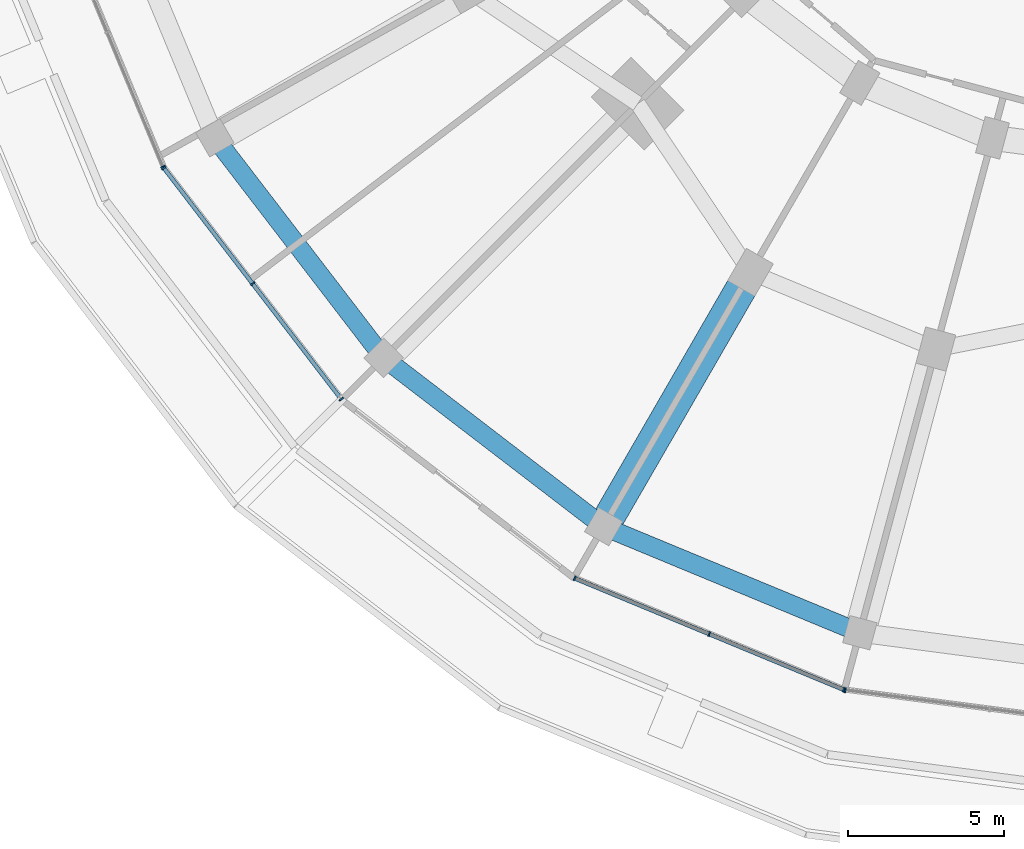
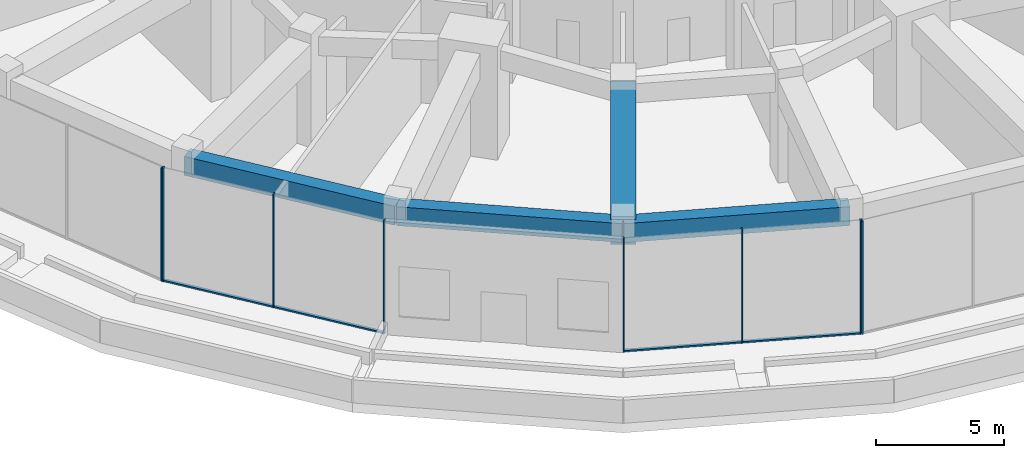
# One storey, part 2 of 26: 12 members, 4 beams, 4 elements without a shape of their own.
"""IFC4 building model written with IfcOpenShell, lengths in metres."""

from ifc_helpers import new_model, si_unit, direction, frame, origin, origin_2d, place, context, subcontext, project, spatial, rectangle, extrude, material, layer, layer_set, material_profile, profile_set, type_object, element, aggregate, save


model = new_model("IFC4")

# Units and contexts
model_context = context("Model", 3, precision=1e-05, world=origin(), true_north=direction((0.0, 1.0)))
body_context = subcontext(model_context, "Body", "Model", "MODEL_VIEW")
ifc_project = project(units=[si_unit("LENGTHUNIT", "METRE"), si_unit("AREAUNIT", "SQUARE_METRE"), si_unit("VOLUMEUNIT", "CUBIC_METRE"), si_unit("PLANEANGLEUNIT", "RADIAN"), si_unit("MASSUNIT", "GRAM", prefix="KILO")], contexts=[model_context])

# Site, building, storey
site_placement = place(None, origin())
site = spatial("IfcSite", under=ifc_project, at=site_placement, CompositionType="ELEMENT")
building_placement = place(site_placement, origin())
building = spatial("IfcBuilding", under=site, at=building_placement, Name="Torre Brocal", CompositionType="ELEMENT")
storey_placement = place(building_placement, frame((0.0, 0.0, 12.39990234375)))
storey = spatial("IfcBuildingStorey", under=building, at=storey_placement, Name="L02", CompositionType="ELEMENT", Elevation=12.39990234375)

# Curtain wall, member
ifc_material_1 = material(Name="Aluminium and glass", Category="aluminium")
ifc_layer = layer(ifc_material_1, 0.199951171875)
ifc_layer_set = layer_set([ifc_layer], Name="Aluminium and glass")
curtain_wall_type = type_object("IfcCurtainWallType", Name="CW-6 CURTAIN WALL 5400 HIGH", PredefinedType="NOTDEFINED", material=ifc_layer_set)
curtain_wall_1_placement = place(storey_placement, origin())
curtain_wall_1 = element("IfcCurtainWall", 1, at=curtain_wall_1_placement, inside=storey, type_object=curtain_wall_type, Name="CW-6 RUN 14", PredefinedType="NOTDEFINED")
ifc_material_2 = material(Name="Aluminium, dark anodised", Category="aluminium")
ifc_material_profile_1 = material_profile(ifc_material_2, rectangle(XDim=0.159912109375, YDim=0.050048828125, at=origin_2d()), Name="CW-6 MULLION 50X160")
ifc_profile_set_1 = profile_set([ifc_material_profile_1], Name="Aluminium, dark anodised")
member_type_1 = type_object("IfcMemberType", Name="CW-6 MULLION 50X160", PredefinedType="MULLION", material=ifc_profile_set_1)
member_1_placement = place(storey_placement, frame((48.90087890625, 57.073486328125, 0.0), z_axis=(0.0, 0.0, 1.0), x_axis=(0.923879532525, 0.382683432333, 0.0)))
member_1 = element("IfcMember", 2, at=member_1_placement, type_object=member_type_1, Name="CW6-1 mullion 3", PredefinedType="MULLION", context=body_context, shape_type="SweptSolid", body=[
    extrude(rectangle(XDim=0.159912109375, YDim=0.050048828125, at=origin_2d()), origin(), (0.0, 0.0, 1.0), 5.400146484375),
])
aggregate(curtain_wall_1, [member_1])

# Curtain wall, members
curtain_wall_2_placement = place(storey_placement, origin())
curtain_wall_2 = element("IfcCurtainWall", 3, at=curtain_wall_2_placement, inside=storey, type_object=curtain_wall_type, Name="CW-6 RUN 15", PredefinedType="NOTDEFINED")
member_2_placement = place(storey_placement, frame((48.925537109375, 57.030517578125, 0.0), z_axis=(0.0, 0.0, 1.0), x_axis=(0.793353340291, 0.608761429009, 0.0)))
member_2 = element("IfcMember", 4, at=member_2_placement, type_object=member_type_1, Name="CW6-1 mullion 1", PredefinedType="MULLION", context=body_context, shape_type="SweptSolid", body=[
    extrude(rectangle(XDim=0.159912109375, YDim=0.050048828125, at=origin_2d()), origin(), (0.0, 0.0, 1.0), 5.400146484375),
])
member_3_placement = place(storey_placement, frame((51.762939453125, 53.3330078125, 0.0), z_axis=(0.0, 0.0, 1.0), x_axis=(0.793353340291, 0.608761429009, 0.0)))
member_3 = element("IfcMember", 5, at=member_3_placement, type_object=member_type_1, Name="CW6-1 mullion 2", PredefinedType="MULLION", context=body_context, shape_type="SweptSolid", body=[
    extrude(rectangle(XDim=0.159912109375, YDim=0.050048828125, at=origin_2d()), origin(), (0.0, 0.0, 1.0), 5.400146484375),
])
member_4_placement = place(storey_placement, frame((54.600341796875, 49.63525390625, 0.0), z_axis=(0.0, 0.0, 1.0), x_axis=(0.793353340291, 0.608761429009, 0.0)))
member_4 = element("IfcMember", 6, at=member_4_placement, type_object=member_type_1, Name="CW6-1 mullion 3", PredefinedType="MULLION", context=body_context, shape_type="SweptSolid", body=[
    extrude(rectangle(XDim=0.159912109375, YDim=0.050048828125, at=origin_2d()), origin(), (0.0, 0.0, 1.0), 5.400146484375),
])

curtain_wall_3_placement = place(storey_placement, origin())
curtain_wall_3 = element("IfcCurtainWall", 7, at=curtain_wall_3_placement, inside=storey, type_object=curtain_wall_type, Name="CW-6 RUN 17", PredefinedType="NOTDEFINED")
member_5_placement = place(storey_placement, frame((62.073486328125, 43.90087890625, 0.0), z_axis=(0.0, 0.0, 1.0), x_axis=(0.382683432333, 0.923879532525, 0.0)))
member_5 = element("IfcMember", 8, at=member_5_placement, type_object=member_type_1, Name="CW6-1 mullion 1", PredefinedType="MULLION", context=body_context, shape_type="SweptSolid", body=[
    extrude(rectangle(XDim=0.159912109375, YDim=0.050048828125, at=origin_2d()), origin(), (0.0, 0.0, 1.0), 5.400146484375),
])
member_6_placement = place(storey_placement, frame((66.379638671875, 42.1171875, 0.0), z_axis=(0.0, 0.0, 1.0), x_axis=(0.382683432333, 0.923879532525, 0.0)))
member_6 = element("IfcMember", 9, at=member_6_placement, type_object=member_type_1, Name="CW6-1 mullion 2", PredefinedType="MULLION", context=body_context, shape_type="SweptSolid", body=[
    extrude(rectangle(XDim=0.159912109375, YDim=0.050048828125, at=origin_2d()), origin(), (0.0, 0.0, 1.0), 5.400146484375),
])
member_7_placement = place(storey_placement, frame((70.685546875, 40.333740234375, 0.0), z_axis=(0.0, 0.0, 1.0), x_axis=(0.382683432333, 0.923879532525, 0.0)))
member_7 = element("IfcMember", 10, at=member_7_placement, type_object=member_type_1, Name="CW6-1 mullion 3", PredefinedType="MULLION", context=body_context, shape_type="SweptSolid", body=[
    extrude(rectangle(XDim=0.159912109375, YDim=0.050048828125, at=origin_2d()), origin(), (0.0, 0.0, 1.0), 5.400146484375),
])

# Curtain wall, member
curtain_wall_4_placement = place(storey_placement, origin())
curtain_wall_4 = element("IfcCurtainWall", 11, at=curtain_wall_4_placement, inside=storey, type_object=curtain_wall_type, Name="CW-6 RUN 18", PredefinedType="NOTDEFINED")
member_8_placement = place(storey_placement, frame((70.7333984375, 40.32080078125, 0.0), z_axis=(0.0, 0.0, 1.0), x_axis=(0.130526192255, 0.991444861369, 0.0)))
member_8 = element("IfcMember", 12, at=member_8_placement, type_object=member_type_1, Name="CW6-1 mullion 1", PredefinedType="MULLION", context=body_context, shape_type="SweptSolid", body=[
    extrude(rectangle(XDim=0.159912109375, YDim=0.050048828125, at=origin_2d()), origin(), (0.0, 0.0, 1.0), 5.400146484375),
])
aggregate(curtain_wall_4, [member_8])

# Member
ifc_material_3 = material(Name="Aluminium, dark anodised", Category="aluminium")
ifc_material_profile_2 = material_profile(ifc_material_3, rectangle(XDim=0.1298828125, YDim=0.070068359375, at=origin_2d()), Name="CW-6 TRANSOM 130X70")
ifc_profile_set_2 = profile_set([ifc_material_profile_2], Name="Aluminium, dark anodised")
member_type_2 = type_object("IfcMemberType", Name="CW-6 TRANSOM 130X70", PredefinedType="USERDEFINED", material=ifc_profile_set_2)
member_9_placement = place(storey_placement, frame((48.94091796875, 57.0107421875, 0.03515625), z_axis=(0.608766086116, -0.793349766746, 0.0), x_axis=(0.793349766746, 0.608766086116, 0.0)))
member_9 = element("IfcMember", 13, at=member_9_placement, type_object=member_type_2, Name="CW6-1 transom 1.1", ObjectType="TRANSOM", PredefinedType="USERDEFINED", context=body_context, shape_type="SweptSolid", body=[
    extrude(rectangle(XDim=0.1298828125, YDim=0.070068359375, at=origin_2d()), origin(), (0.0, 0.0, 1.0), 4.61083984375),
])

member_10_placement = place(storey_placement, frame((51.778076171875, 53.313232421875, 0.03515625), z_axis=(0.60874051391, -0.793369388573, 0.0), x_axis=(0.793369388573, 0.60874051391, 0.0)))
member_10 = element("IfcMember", 14, at=member_10_placement, type_object=member_type_2, Name="CW6-1 transom 2.1", ObjectType="TRANSOM", PredefinedType="USERDEFINED", context=body_context, shape_type="SweptSolid", body=[
    extrude(rectangle(XDim=0.1298828125, YDim=0.070068359375, at=origin_2d()), origin(), (0.0, 0.0, 1.0), 4.611083984375),
])

aggregate(curtain_wall_2, [member_2, member_3, member_4, member_9, member_10])

member_11_placement = place(storey_placement, frame((62.0966796875, 43.891357421875, 0.03515625), z_axis=(0.923883243627, -0.382674472816, 0.0), x_axis=(0.382674472816, 0.923883243627, 0.0)))
member_11 = element("IfcMember", 15, at=member_11_placement, type_object=member_type_2, Name="CW6-1 transom 1.1", ObjectType="TRANSOM", PredefinedType="USERDEFINED", context=body_context, shape_type="SweptSolid", body=[
    extrude(rectangle(XDim=0.1298828125, YDim=0.070068359375, at=origin_2d()), origin(), (0.0, 0.0, 1.0), 4.61083984375),
])

member_12_placement = place(storey_placement, frame((66.402587890625, 42.107666015625, 0.03515625), z_axis=(0.923883243627, -0.382674472816, 0.0), x_axis=(0.382674472816, 0.923883243627, 0.0)))
member_12 = element("IfcMember", 16, at=member_12_placement, type_object=member_type_2, Name="CW6-1 transom 2.1", ObjectType="TRANSOM", PredefinedType="USERDEFINED", context=body_context, shape_type="SweptSolid", body=[
    extrude(rectangle(XDim=0.1298828125, YDim=0.070068359375, at=origin_2d()), origin(), (0.0, 0.0, 1.0), 4.61083984375),
])

aggregate(curtain_wall_3, [member_5, member_6, member_7, member_11, member_12])

# Beams
ifc_material_4 = material(Name="Concrete C50", Category="concrete")
ifc_material_profile_3 = material_profile(ifc_material_4, rectangle(XDim=0.60009765625, YDim=0.89990234375, at=origin_2d()), Name="RC 600X900")
ifc_profile_set_3 = profile_set([ifc_material_profile_3], Name="Concrete C50")
beam_type_1 = type_object("IfcBeamType", Name="RC BEAM 600X900 C50 TOP 4950", PredefinedType="BEAM", material=ifc_profile_set_3)
for number, where, z_axis, x_axis, name in (
    (17, (50.55517578125, 58.0, 4.5), (0.608743902882, -0.793366788253, 0.0), (0.793366788253, 0.608743902882, 0.0), "Beam BT-10"),
    (18, (55.958251953125, 50.958251953125, 4.5), (0.793366788253, -0.608743902882, 0.0), (0.608743902882, 0.793366788253, 0.0), "Beam BT-10"),
):
    element("IfcBeam", number, at=place(storey_placement, frame(where, z_axis=z_axis, x_axis=x_axis)), inside=storey, type_object=beam_type_1, Name=name, PredefinedType="BEAM", context=body_context, shape_type="SweptSolid", body=[
        extrude(rectangle(XDim=0.60009765625, YDim=0.89990234375, at=origin_2d()), origin(), (0.0, 0.0, 1.0), 8.875732421875),
    ])
beam_1_placement = place(storey_placement, frame((63.0, 45.55517578125, 4.5), z_axis=(0.923875692429, -0.382692703012, 0.0), x_axis=(0.382692703012, 0.923875692429, 0.0)))
element("IfcBeam", 19, at=beam_1_placement, inside=storey, type_object=beam_type_1, Name="Beam BT-10", PredefinedType="BEAM", context=body_context, shape_type="SweptSolid", body=[
    extrude(rectangle(XDim=0.60009765625, YDim=0.89990234375, at=origin_2d()), origin(), (0.0, 0.0, 1.0), 8.8759765625),
])
ifc_material_5 = material(Name="Concrete C60", Category="concrete")
ifc_material_profile_4 = material_profile(ifc_material_5, rectangle(XDim=1.0, YDim=1.199951171875, at=origin_2d()), Name="RC 1000X1200")
ifc_profile_set_4 = profile_set([ifc_material_profile_4], Name="Concrete C60")
beam_type_2 = type_object("IfcBeamType", Name="RC TRANSFER GIRDER 1000X1200 C60 TOP 4950", PredefinedType="BEAM", material=ifc_profile_set_4)
beam_2_placement = place(storey_placement, frame((67.699951171875, 53.69580078125, 4.35009765625), z_axis=(-0.499996739618, -0.866027286158, 0.0), x_axis=(0.866027286158, -0.499996739618, 0.0)))
element("IfcBeam", 20, at=beam_2_placement, inside=storey, type_object=beam_type_2, Name="Beam TG-03", PredefinedType="BEAM", context=body_context, shape_type="SweptSolid", body=[
    extrude(rectangle(XDim=1.0, YDim=1.199951171875, at=origin_2d()), origin(), (0.0, 0.0, 1.0), 9.39990234375),
])

save(model, "model.ifc")
